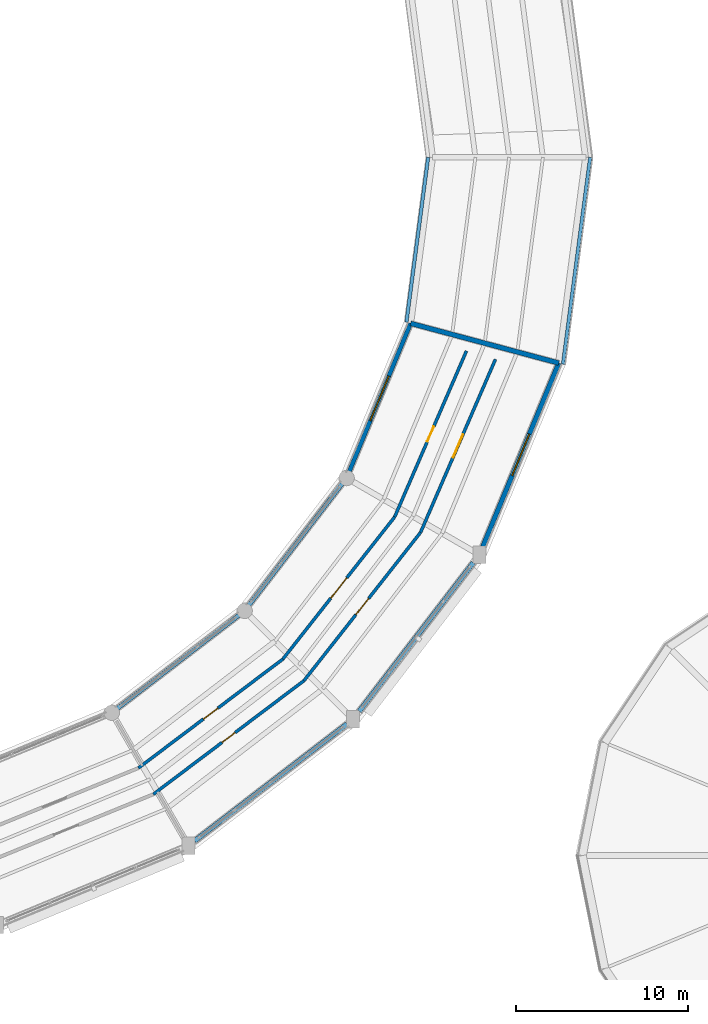
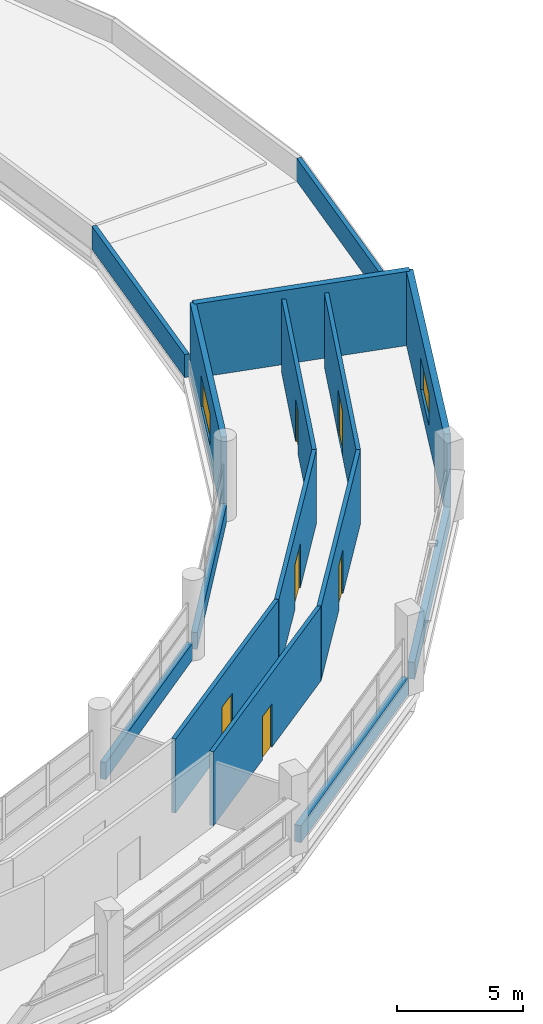
# One storey, part 92 of 108: 15 walls, 6 doors, 2 windows, 8 openings.
"""IFC4 building model written with IfcOpenShell, lengths in metres."""

from ifc_helpers import new_model, si_unit, direction, frame, frame_2d, origin, place, context, subcontext, project, spatial, rectangle, extrude, material, layer, layer_set, type_object, element, fill, save


model = new_model("IFC4")

# Units and contexts
model_context = context("Model", 3, precision=1e-05, world=origin(), true_north=direction((0.0, 1.0)))
body_context = subcontext(model_context, "Body", "Model", "MODEL_VIEW")
ifc_project = project(units=[si_unit("LENGTHUNIT", "METRE"), si_unit("AREAUNIT", "SQUARE_METRE"), si_unit("VOLUMEUNIT", "CUBIC_METRE"), si_unit("PLANEANGLEUNIT", "RADIAN"), si_unit("MASSUNIT", "GRAM", prefix="KILO")], contexts=[model_context])

# Site, building, storey
site_placement = place(None, origin())
site = spatial("IfcSite", under=ifc_project, at=site_placement, CompositionType="ELEMENT")
building_placement = place(site_placement, origin())
building = spatial("IfcBuilding", under=site, at=building_placement, Name="Vespera Passage Community Centre", CompositionType="ELEMENT")
storey_placement = place(building_placement, frame((0.0, 0.0, 12.60009765625)))
storey = spatial("IfcBuildingStorey", under=building, at=storey_placement, Name="L03", CompositionType="ELEMENT", Elevation=12.60009765625)

# Wall, opening, door
ifc_material_1 = material(Name="Gypsum board acoustic stud partition")
ifc_layer_1 = layer(ifc_material_1, 0.179931640625)
ifc_layer_set_1 = layer_set([ifc_layer_1], Name="Gypsum board acoustic stud partition")
wall_type_1 = type_object("IfcWallType", Name="WT-CORR-180I", PredefinedType="PARTITIONING", material=ifc_layer_set_1)
wall_1_placement = place(storey_placement, frame((99.0087890625, 28.5556640625, 0.0), z_axis=(0.0, 0.0, 1.0), x_axis=(0.798409350031, 0.602115030358, 0.0)))
wall_1 = element("IfcWall", 1, at=wall_1_placement, inside=storey, type_object=wall_type_1, Name="L03 Interior Partition V4-L03-CO19.1", PredefinedType="PARTITIONING", context=body_context, shape_type="SweptSolid", body=[
    extrude(rectangle(XDim=10.941162109375, YDim=0.179931640625, at=frame_2d((5.470703125, 0.0))), origin(), (0.0, 0.0, 1.0), 3.594970703125),
])
opening_1_placement = place(wall_1_placement, frame((4.99560546875, 0.0, 0.0)))
opening_1 = element("IfcOpeningElement", 2, at=opening_1_placement, cuts=wall_1, Name="Opening DT-CORR-95", PredefinedType="OPENING", context=body_context, shape_type="SweptSolid", body=[
    extrude(rectangle(XDim=0.949951171875, YDim=2.10009765625, at=frame_2d((0.47509765625, 1.050048828125))), frame((0.0, 0.099853515625, 0.0), z_axis=(0.0, -1.0, 0.0), x_axis=(1.0, 0.0, 0.0)), (0.0, 0.0, 1.0), 0.199951171875),
])
ifc_material_2 = material(Name="Painted hollow-metal acoustic door", Category="steel")
door_type_1 = type_object("IfcDoorType", Name="DT-CORR-95", OperationType="NOTDEFINED", PredefinedType="DOOR", material=ifc_material_2)
door_1_placement = place(opening_1_placement, origin())
door_1 = element("IfcDoor", 3, at=door_1_placement, inside=storey, type_object=door_type_1, Name="L03 Interior Door D-256", OperationType="SINGLE_SWING_RIGHT", OverallHeight=2.10009765625, OverallWidth=0.949951171875, PredefinedType="DOOR", context=body_context, shape_type="SweptSolid", body=[
    extrude(rectangle(XDim=0.949951171875, YDim=2.10009765625, at=frame_2d((0.47509765625, 1.050048828125))), frame((0.0, 0.02490234375, 0.0), z_axis=(0.0, -1.0, 0.0), x_axis=(1.0, 0.0, 0.0)), (0.0, 0.0, 1.0), 0.050048828125),
])
fill(opening_1, door_1)

wall_2_placement = place(storey_placement, frame((98.1435546875, 30.076904296875, 0.0), z_axis=(0.0, 0.0, 1.0), x_axis=(0.798419431093, 0.602101662557, 0.0)))
wall_2 = element("IfcWall", 4, at=wall_2_placement, inside=storey, type_object=wall_type_1, Name="L03 Interior Partition V4-L03-CI19.1", PredefinedType="PARTITIONING", context=body_context, shape_type="SweptSolid", body=[
    extrude(rectangle(XDim=10.490966796875, YDim=0.179931640625, at=frame_2d((5.24560546875, 0.0))), origin(), (0.0, 0.0, 1.0), 3.594970703125),
])
opening_2_placement = place(wall_2_placement, frame((4.720458984375, 0.0, 0.0)))
opening_2 = element("IfcOpeningElement", 5, at=opening_2_placement, cuts=wall_2, Name="Opening DT-CORR-105", PredefinedType="OPENING", context=body_context, shape_type="SweptSolid", body=[
    extrude(rectangle(XDim=1.050048828125, YDim=2.10009765625, at=frame_2d((0.52490234375, 1.050048828125))), frame((0.0, 0.099853515625, 0.0), z_axis=(0.0, -1.0, 0.0), x_axis=(1.0, 0.0, 0.0)), (0.0, 0.0, 1.0), 0.199951171875),
])
ifc_material_3 = material(Name="Painted hollow-metal acoustic door", Category="steel")
door_type_2 = type_object("IfcDoorType", Name="DT-CORR-105", OperationType="NOTDEFINED", PredefinedType="DOOR", material=ifc_material_3)
door_2_placement = place(opening_2_placement, origin())
door_2 = element("IfcDoor", 6, at=door_2_placement, inside=storey, type_object=door_type_2, Name="L03 Interior Door D-257", OperationType="SINGLE_SWING_LEFT", OverallHeight=2.10009765625, OverallWidth=1.050048828125, PredefinedType="DOOR", context=body_context, shape_type="SweptSolid", body=[
    extrude(rectangle(XDim=1.050048828125, YDim=2.10009765625, at=frame_2d((0.52490234375, 1.050048828125))), frame((0.0, 0.02490234375, 0.0), z_axis=(0.0, -1.0, 0.0), x_axis=(1.0, 0.0, 0.0)), (0.0, 0.0, 1.0), 0.050048828125),
])
fill(opening_2, door_2)

wall_3_placement = place(storey_placement, frame((107.744384765625, 35.1435546875, 0.0), z_axis=(0.0, 0.0, 1.0), x_axis=(0.618252095573, 0.785979863813, 0.0)))
wall_3 = element("IfcWall", 7, at=wall_3_placement, inside=storey, type_object=wall_type_1, Name="L03 Interior Partition V4-L03-CO20.1", PredefinedType="PARTITIONING", context=body_context, shape_type="SweptSolid", body=[
    extrude(rectangle(XDim=10.941650390625, YDim=0.179931640625, at=frame_2d((5.470703125, 0.0))), origin(), (0.0, 0.0, 1.0), 3.594970703125),
])
opening_3_placement = place(wall_3_placement, frame((4.870849609375, 0.0, 0.0)))
opening_3 = element("IfcOpeningElement", 8, at=opening_3_placement, cuts=wall_3, Name="Opening DT-CORR-120", PredefinedType="OPENING", context=body_context, shape_type="SweptSolid", body=[
    extrude(rectangle(XDim=1.199951171875, YDim=2.14990234375, at=frame_2d((0.60009765625, 1.074951171875))), frame((0.0, 0.099853515625, 0.0), z_axis=(0.0, -1.0, 0.0), x_axis=(1.0, 0.0, 0.0)), (0.0, 0.0, 1.0), 0.199951171875),
])
ifc_material_4 = material(Name="Painted hollow-metal acoustic door", Category="steel")
door_type_3 = type_object("IfcDoorType", Name="DT-CORR-120", OperationType="NOTDEFINED", PredefinedType="DOOR", material=ifc_material_4)
door_3_placement = place(opening_3_placement, origin())
door_3 = element("IfcDoor", 9, at=door_3_placement, inside=storey, type_object=door_type_3, Name="L03 Interior Door D-258", OperationType="SINGLE_SWING_RIGHT", OverallHeight=2.14990234375, OverallWidth=1.199951171875, PredefinedType="DOOR", context=body_context, shape_type="SweptSolid", body=[
    extrude(rectangle(XDim=1.199951171875, YDim=2.14990234375, at=frame_2d((0.60009765625, 1.074951171875))), frame((0.0, 0.02490234375, 0.0), z_axis=(0.0, -1.0, 0.0), x_axis=(1.0, 0.0, 0.0)), (0.0, 0.0, 1.0), 0.050048828125),
])
fill(opening_3, door_3)

wall_4_placement = place(storey_placement, frame((106.519775390625, 36.3935546875, 0.0), z_axis=(0.0, 0.0, 1.0), x_axis=(0.618231546096, 0.785996027606, 0.0)))
wall_4 = element("IfcWall", 10, at=wall_4_placement, inside=storey, type_object=wall_type_1, Name="L03 Interior Partition V4-L03-CI20.1", PredefinedType="PARTITIONING", context=body_context, shape_type="SweptSolid", body=[
    extrude(rectangle(XDim=10.490966796875, YDim=0.179931640625, at=frame_2d((5.24560546875, 0.0))), origin(), (0.0, 0.0, 1.0), 3.594970703125),
])
opening_4_placement = place(wall_4_placement, frame((4.49560546875, 0.0, 0.0)))
opening_4 = element("IfcOpeningElement", 11, at=opening_4_placement, cuts=wall_4, Name="Opening DT-CORR-150", PredefinedType="OPENING", context=body_context, shape_type="SweptSolid", body=[
    extrude(rectangle(XDim=1.5, YDim=2.14990234375, at=frame_2d((0.75, 1.074951171875))), frame((0.0, 0.099853515625, 0.0), z_axis=(0.0, -1.0, 0.0), x_axis=(1.0, 0.0, 0.0)), (0.0, 0.0, 1.0), 0.199951171875),
])
ifc_material_5 = material(Name="Painted hollow-metal acoustic door", Category="steel")
door_type_4 = type_object("IfcDoorType", Name="DT-CORR-150", OperationType="NOTDEFINED", PredefinedType="DOOR", material=ifc_material_5)
door_4_placement = place(opening_4_placement, origin())
door_4 = element("IfcDoor", 12, at=door_4_placement, inside=storey, type_object=door_type_4, Name="L03 Interior Door D-259", OperationType="SINGLE_SWING_LEFT", OverallHeight=2.14990234375, OverallWidth=1.5, PredefinedType="DOOR", context=body_context, shape_type="SweptSolid", body=[
    extrude(rectangle(XDim=1.5, YDim=2.14990234375, at=frame_2d((0.75, 1.074951171875))), frame((0.0, 0.02490234375, 0.0), z_axis=(0.0, -1.0, 0.0), x_axis=(1.0, 0.0, 0.0)), (0.0, 0.0, 1.0), 0.050048828125),
])
fill(opening_4, door_4)

wall_5_placement = place(storey_placement, frame((114.509033203125, 43.743408203125, 0.0), z_axis=(0.0, 0.0, 1.0), x_axis=(0.397065086242, 0.917790453909, 0.0)))
wall_5 = element("IfcWall", 13, at=wall_5_placement, inside=storey, type_object=wall_type_1, Name="L03 Interior Partition V4-L03-CO21.1", PredefinedType="PARTITIONING", context=body_context, shape_type="SweptSolid", body=[
    extrude(rectangle(XDim=10.94140625, YDim=0.179931640625, at=frame_2d((5.470703125, 0.0))), origin(), (0.0, 0.0, 1.0), 3.594970703125),
])
opening_5_placement = place(wall_5_placement, frame((4.74560546875, 0.0, 0.0)))
opening_5 = element("IfcOpeningElement", 14, at=opening_5_placement, cuts=wall_5, Name="Opening DT-PLANT-145", PredefinedType="OPENING", context=body_context, shape_type="SweptSolid", body=[
    extrude(rectangle(XDim=1.449951171875, YDim=2.199951171875, at=frame_2d((0.72509765625, 1.10009765625))), frame((0.0, 0.099853515625, 0.0), z_axis=(0.0, -1.0, 0.0), x_axis=(1.0, 0.0, 0.0)), (0.0, 0.0, 1.0), 0.199951171875),
])
ifc_material_6 = material(Name="Painted hollow-metal acoustic door", Category="steel")
door_type_5 = type_object("IfcDoorType", Name="DT-PLANT-145", OperationType="NOTDEFINED", PredefinedType="DOOR", material=ifc_material_6)
door_5_placement = place(opening_5_placement, origin())
door_5 = element("IfcDoor", 15, at=door_5_placement, inside=storey, type_object=door_type_5, Name="L03 Interior Door D-260", OperationType="SINGLE_SWING_RIGHT", OverallHeight=2.199951171875, OverallWidth=1.449951171875, PredefinedType="DOOR", context=body_context, shape_type="SweptSolid", body=[
    extrude(rectangle(XDim=1.449951171875, YDim=2.199951171875, at=frame_2d((0.72509765625, 1.10009765625))), frame((0.0, 0.02490234375, 0.0), z_axis=(0.0, -1.0, 0.0), x_axis=(1.0, 0.0, 0.0)), (0.0, 0.0, 1.0), 0.050048828125),
])
fill(opening_5, door_5)

wall_6_placement = place(storey_placement, frame((113.005615234375, 44.639404296875, 0.0), z_axis=(0.0, 0.0, 1.0), x_axis=(0.397082293434, 0.917783009344, 0.0)))
wall_6 = element("IfcWall", 16, at=wall_6_placement, inside=storey, type_object=wall_type_1, Name="L03 Interior Partition V4-L03-CI21.1", PredefinedType="PARTITIONING", context=body_context, shape_type="SweptSolid", body=[
    extrude(rectangle(XDim=10.490966796875, YDim=0.179931640625, at=frame_2d((5.24560546875, 0.0))), origin(), (0.0, 0.0, 1.0), 3.594970703125),
])
opening_6_placement = place(wall_6_placement, frame((4.7705078125, 0.0, 0.0)))
opening_6 = element("IfcOpeningElement", 17, at=opening_6_placement, cuts=wall_6, Name="Opening DT-CORR-95", PredefinedType="OPENING", context=body_context, shape_type="SweptSolid", body=[
    extrude(rectangle(XDim=0.949951171875, YDim=2.10009765625, at=frame_2d((0.47509765625, 1.050048828125))), frame((0.0, 0.099853515625, 0.0), z_axis=(0.0, -1.0, 0.0), x_axis=(1.0, 0.0, 0.0)), (0.0, 0.0, 1.0), 0.199951171875),
])
door_6_placement = place(opening_6_placement, origin())
door_6 = element("IfcDoor", 18, at=door_6_placement, inside=storey, type_object=door_type_1, Name="L03 Interior Door D-261", OperationType="SINGLE_SWING_LEFT", OverallHeight=2.10009765625, OverallWidth=0.949951171875, PredefinedType="DOOR", context=body_context, shape_type="SweptSolid", body=[
    extrude(rectangle(XDim=0.949951171875, YDim=2.10009765625, at=frame_2d((0.47509765625, 1.050048828125))), frame((0.0, 0.02490234375, 0.0), z_axis=(0.0, -1.0, 0.0), x_axis=(1.0, 0.0, 0.0)), (0.0, 0.0, 1.0), 0.050048828125),
])
fill(opening_6, door_6)

# Walls
ifc_material_7 = material(Name="Precast concrete f'c 40 MPa", Category="concrete")
ifc_layer_2 = layer(ifc_material_7, 0.25)
ifc_layer_set_2 = layer_set([ifc_layer_2], Name="Precast concrete f'c 40 MPa")
wall_type_2 = type_object("IfcWallType", Name="WT-EXT-250E", PredefinedType="STANDARD", material=ifc_layer_set_2)
for number, where, z_axis, x_axis, name in (
    (19, (96.880126953125, 33.498779296875, 0.0), (0.0, 0.0, 1.0), (0.793347085527, 0.608769580289, 0.0), "V4 L03 Court Spandrel Wall I20"),
    (20, (104.519287109375, 39.475830078125, 0.0), (0.0, 0.0, 1.0), (0.608769580289, 0.793347085527, 0.0), "V4 L03 Court Spandrel Wall I21"),
):
    element("IfcWall", number, at=place(storey_placement, frame(where, z_axis=z_axis, x_axis=x_axis)), inside=storey, type_object=wall_type_2, Name=name, PredefinedType="STANDARD", context=body_context, shape_type="SweptSolid", body=[
        extrude(rectangle(XDim=9.0048828125, YDim=0.25, at=frame_2d((4.50244140625, 0.0))), origin(), (0.0, 0.0, 1.0), 0.81982421875),
    ])

# Wall, opening, window
wall_7_placement = place(storey_placement, frame((110.330810546875, 47.177001953125, 0.0), z_axis=(0.0, 0.0, 1.0), x_axis=(0.382687820753, 0.923877714769, 0.0)))
wall_7 = element("IfcWall", 21, at=wall_7_placement, inside=storey, type_object=wall_type_2, Name="V4 L03 Inner Court Precast Wall 22", PredefinedType="STANDARD", context=body_context, shape_type="SweptSolid", body=[
    extrude(rectangle(XDim=9.4111328125, YDim=0.25, at=frame_2d((4.70556640625, 0.0))), origin(), (0.0, 0.0, 1.0), 3.58984375),
])
opening_7_placement = place(wall_7_placement, frame((3.3056640625, 0.0, 0.85009765625)))
opening_7 = element("IfcOpeningElement", 22, at=opening_7_placement, cuts=wall_7, Name="Opening WN-16E", PredefinedType="OPENING", context=body_context, shape_type="SweptSolid", body=[
    extrude(rectangle(XDim=2.800048828125, YDim=1.550048828125, at=frame_2d((1.39990234375, 0.77490234375))), frame((0.0, 0.135009765625, 0.0), z_axis=(0.0, -1.0, 0.0), x_axis=(1.0, 0.0, 0.0)), (0.0, 0.0, 1.0), 0.27001953125),
])
ifc_material_8 = material(Name="Low-E insulated vision glass", Category="glass")
window_type_1 = type_object("IfcWindowType", Name="WN-16E", PartitioningType="SINGLE_PANEL", PredefinedType="WINDOW", material=ifc_material_8)
window_1_placement = place(opening_7_placement, origin())
window_1 = element("IfcWindow", 23, at=window_1_placement, inside=storey, type_object=window_type_1, Name="Window WN-V4-L03-I22", OverallHeight=1.550048828125, OverallWidth=2.800048828125, PartitioningType="SINGLE_PANEL", PredefinedType="WINDOW", context=body_context, shape_type="SweptSolid", body=[
    extrude(rectangle(XDim=2.800048828125, YDim=1.550048828125, at=frame_2d((1.39990234375, 0.77490234375))), frame((0.0, 0.030029296875, 0.0), z_axis=(0.0, -1.0, 0.0), x_axis=(1.0, 0.0, 0.0)), (0.0, 0.0, 1.0), 0.06005859375),
])
fill(opening_7, window_1)

# Walls
ifc_material_9 = material(Name="Precast concrete f'c 40 MPa", Category="concrete")
ifc_layer_3 = layer(ifc_material_9, 0.280029296875)
ifc_layer_set_3 = layer_set([ifc_layer_3], Name="Precast concrete f'c 40 MPa")
wall_type_3 = type_object("IfcWallType", Name="WT-EXT-280E", PredefinedType="STANDARD", material=ifc_layer_set_3)
wall_8_placement = place(storey_placement, frame((110.242431640625, 32.6298828125, 0.0), z_axis=(0.0, 0.0, 1.0), x_axis=(-0.793342066679, -0.608776120785, 0.0)))
element("IfcWall", 24, at=wall_8_placement, inside=storey, type_object=wall_type_3, Name="V4 L03 Spandrel Wall O20", PredefinedType="STANDARD", context=body_context, shape_type="SweptSolid", body=[
    extrude(rectangle(XDim=11.13916015625, YDim=0.280029296875, at=frame_2d((5.569580078125, 0.0))), origin(), (0.0, 0.0, 1.0), 0.81982421875),
])
wall_9_placement = place(storey_placement, frame((117.56396484375, 41.981201171875, 0.0), z_axis=(0.0, 0.0, 1.0), x_axis=(-0.608753590889, -0.79335935463, 0.0)))
element("IfcWall", 25, at=wall_9_placement, inside=storey, type_object=wall_type_3, Name="V4 L03 Spandrel Wall O21", PredefinedType="STANDARD", context=body_context, shape_type="SweptSolid", body=[
    extrude(rectangle(XDim=10.852294921875, YDim=0.280029296875, at=frame_2d((5.42626953125, 0.0))), origin(), (0.0, 0.0, 1.0), 0.81982421875),
])

# Wall, opening, window
wall_10_placement = place(storey_placement, frame((122.529296875, 53.568359375, 0.0), z_axis=(0.0, 0.0, 1.0), x_axis=(-0.382695616516, -0.923874485577, 0.0)))
wall_10 = element("IfcWall", 26, at=wall_10_placement, inside=storey, type_object=wall_type_3, Name="V4 L03 Outer Precast Wall 22", PredefinedType="STANDARD", context=body_context, shape_type="SweptSolid", body=[
    extrude(rectangle(XDim=11.51806640625, YDim=0.280029296875, at=frame_2d((5.759033203125, 0.0))), origin(), (0.0, 0.0, 1.0), 3.58984375),
])
opening_8_placement = place(wall_10_placement, frame((4.459228515625, 0.0, 0.85009765625)))
opening_8 = element("IfcOpeningElement", 27, at=opening_8_placement, cuts=wall_10, Name="Opening WN-15E", PredefinedType="OPENING", context=body_context, shape_type="SweptSolid", body=[
    extrude(rectangle(XDim=2.60009765625, YDim=1.550048828125, at=frame_2d((1.300048828125, 0.77490234375))), frame((0.0, 0.150146484375, 0.0), z_axis=(0.0, -1.0, 0.0), x_axis=(1.0, 0.0, 0.0)), (0.0, 0.0, 1.0), 0.300048828125),
])
ifc_material_10 = material(Name="Low-E insulated vision glass", Category="glass")
window_type_2 = type_object("IfcWindowType", Name="WN-15E", PartitioningType="SINGLE_PANEL", PredefinedType="WINDOW", material=ifc_material_10)
window_2_placement = place(opening_8_placement, origin())
window_2 = element("IfcWindow", 28, at=window_2_placement, inside=storey, type_object=window_type_2, Name="Window WN-V4-L03-O22", OverallHeight=1.550048828125, OverallWidth=2.60009765625, PartitioningType="SINGLE_PANEL", PredefinedType="WINDOW", context=body_context, shape_type="SweptSolid", body=[
    extrude(rectangle(XDim=2.60009765625, YDim=1.550048828125, at=frame_2d((1.300048828125, 0.77490234375))), frame((0.0, 0.030029296875, 0.0), z_axis=(0.0, -1.0, 0.0), x_axis=(1.0, 0.0, 0.0)), (0.0, 0.0, 1.0), 0.06005859375),
])
fill(opening_8, window_2)

# Walls
wall_11_placement = place(storey_placement, frame((113.932373046875, 55.871826171875, 0.0), z_axis=(0.0, 0.0, 1.0), x_axis=(0.9659278487, -0.258811497245, 0.0)))
element("IfcWall", 29, at=wall_11_placement, inside=storey, type_object=wall_type_3, Name="V4 L03 Radial End Facade Wall END", PredefinedType="STANDARD", context=body_context, shape_type="SweptSolid", body=[
    extrude(rectangle(XDim=8.900146484375, YDim=0.280029296875, at=frame_2d((4.4501953125, 0.0))), origin(), (0.0, 0.0, 1.0), 3.58984375),
])
ifc_material_11 = material(Name="Precast concrete f'c 40 MPa", Category="concrete")
ifc_layer_4 = layer(ifc_material_11, 0.199951171875)
ifc_layer_set_4 = layer_set([ifc_layer_4], Name="Precast concrete f'c 40 MPa")
wall_type_4 = type_object("IfcWallType", Name="WT-PAR-200E", PredefinedType="PARAPET", material=ifc_layer_set_4)
wall_12_placement = place(storey_placement, frame((122.770751953125, 53.503662109375, 0.0), z_axis=(0.0, 0.0, 1.0), x_axis=(0.130526018203, 0.991444884284, 0.0)))
element("IfcWall", 30, at=wall_12_placement, inside=storey, type_object=wall_type_4, Name="V4 L03 Step Roof Outer Parapet 2.1", PredefinedType="PARAPET", context=body_context, shape_type="SweptSolid", body=[
    extrude(rectangle(XDim=12.099853515625, YDim=0.199951171875, at=frame_2d((6.0498046875, 0.0))), origin(), (0.0, 0.0, 1.0), 1.119873046875),
])
wall_13_placement = place(storey_placement, frame((113.69091796875, 55.9365234375, 0.0), z_axis=(0.0, 0.0, 1.0), x_axis=(0.130523912435, 0.991445161511, 0.0)))
element("IfcWall", 31, at=wall_13_placement, inside=storey, type_object=wall_type_4, Name="V4 L03 Step Roof Inner Parapet 2.1", PredefinedType="PARAPET", context=body_context, shape_type="SweptSolid", body=[
    extrude(rectangle(XDim=9.64599609375, YDim=0.199951171875, at=frame_2d((4.822998046875, 0.0))), origin(), (0.0, 0.0, 1.0), 1.119873046875),
])

save(model, "model.ifc")
